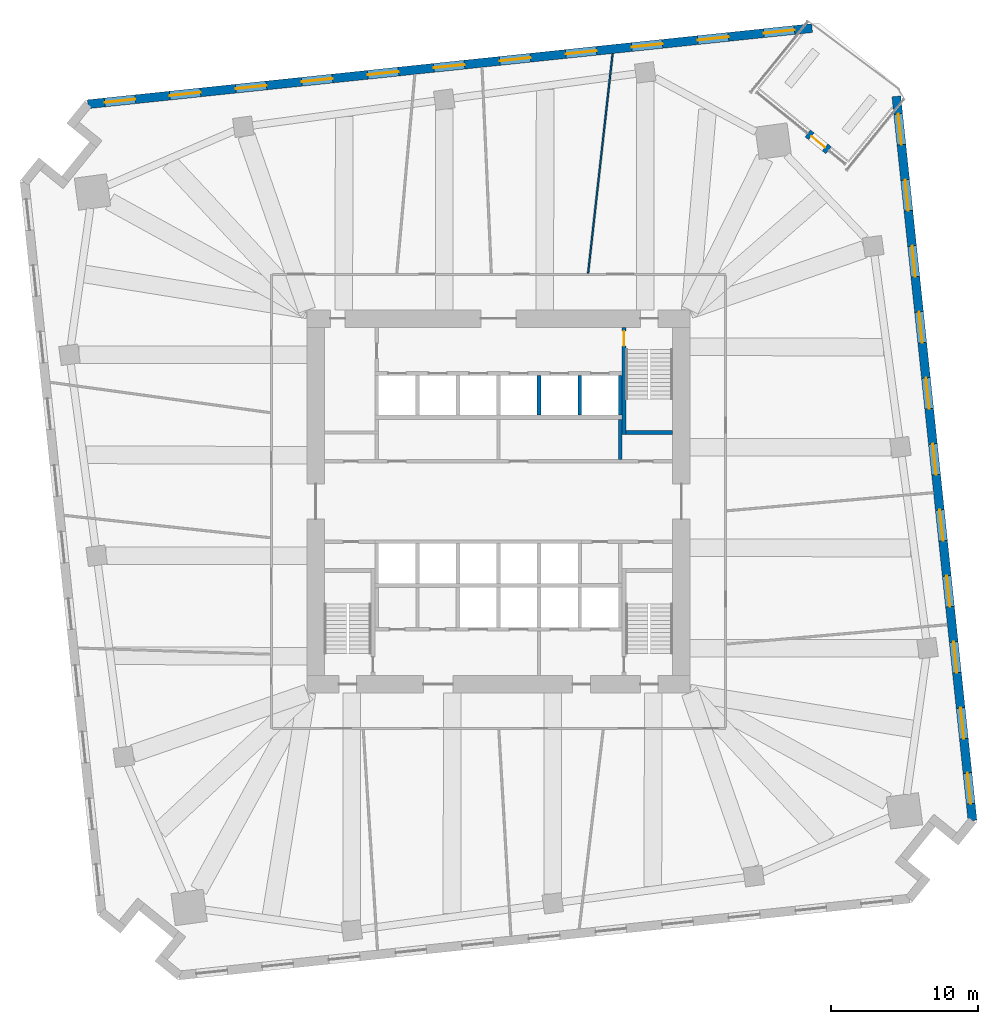
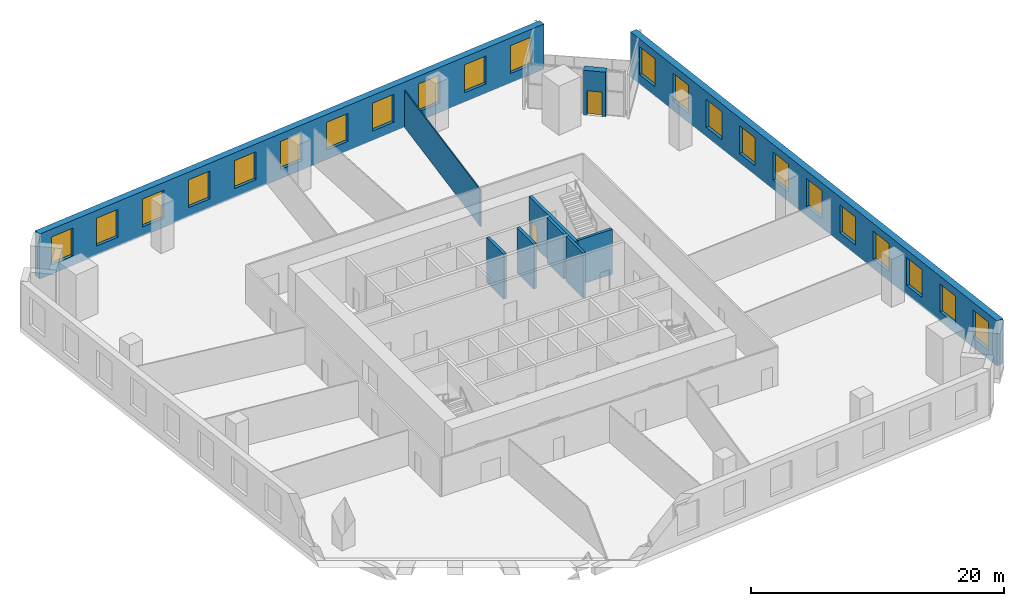
# One storey, part 7 of 10: 22 windows, 10 walls, 2 doors, 24 openings.
"""IFC4 building model written with IfcOpenShell, lengths in metres."""

import ifcopenshell
import ifcopenshell.guid

model = None  # the IFC model being written
_history = None  # IfcOwnerHistory: only IFC2X3 demands one
_inside = {}  # id of a spatial element -> (the spatial element, [elements in it])
_under = {}  # id of a project, library or spatial element -> (it, [spatial elements below it])
_declared = {}  # id of a project -> (the project, [libraries it declares])
_typed = {}  # id of a type object -> (the type object, [elements of that type])
_made_of = {}  # id of a material, layer set ... -> (it, [elements and type objects made of it])


def new_model(schema):
    """Start an empty IFC model of exactly this schema.

    Asked for "IFC4X3", IfcOpenShell would pick the latest addendum, in which some entities
    have other attributes; the version numbers below select the first issue.
    IFC2X3 requires an IfcOwnerHistory on every rooted entity: one is made here for all.
    """
    global model, _history
    if schema == "IFC4X3":
        model = ifcopenshell.file(schema_version=(4, 3, 0, 0))
    else:
        model = ifcopenshell.file(schema=schema)
    _inside.clear()
    _under.clear()
    _declared.clear()
    _typed.clear()
    _made_of.clear()
    _history = None
    if model.schema == "IFC2X3":
        org = make("IfcOrganization", Name="unknown")
        user = make(
            "IfcPersonAndOrganization",
            ThePerson=make("IfcPerson", FamilyName="unknown"),
            TheOrganization=org,
        )
        app = make(
            "IfcApplication",
            ApplicationDeveloper=org,
            Version="unknown",
            ApplicationFullName="unknown",
            ApplicationIdentifier="unknown",
        )
        _history = make(
            "IfcOwnerHistory",
            OwningUser=user,
            OwningApplication=app,
            ChangeAction="ADDED",
            CreationDate=0,
        )
    return model


def make(cls, **values):
    """One entity of the class cls with the attributes given. An attribute that is None is left unset."""
    return model.create_entity(
        cls, **{name: value for name, value in values.items() if value is not None}
    )


def rooted(cls, **values):
    """An entity with a GlobalId (a new one), such as an element, a storey or a relation."""
    return make(cls, GlobalId=ifcopenshell.guid.new(), OwnerHistory=_history, **values)


def si_unit(unit_type, name, prefix=None):
    """IfcSIUnit, for example si_unit("LENGTHUNIT", "METRE", prefix="MILLI")."""
    return make("IfcSIUnit", UnitType=unit_type, Prefix=prefix, Name=name)


def assignment(units):
    """IfcUnitAssignment: the units of a project."""
    return None if units is None else make("IfcUnitAssignment", Units=units)


def point(xyz):
    """IfcCartesianPoint."""
    return None if xyz is None else make("IfcCartesianPoint", Coordinates=xyz)


def direction(xyz):
    """IfcDirection."""
    return None if xyz is None else make("IfcDirection", DirectionRatios=xyz)


def frame(location, z_axis=None, x_axis=None):
    """IfcAxis2Placement3D, a coordinate frame: its origin and axes. An axis left out is left unset."""
    return make(
        "IfcAxis2Placement3D",
        Location=point(location),
        Axis=direction(z_axis),
        RefDirection=direction(x_axis),
    )


def frame_2d(location, x_axis=None):
    """IfcAxis2Placement2D, a coordinate frame in the plane: its origin and x axis."""
    return make(
        "IfcAxis2Placement2D", Location=point(location), RefDirection=direction(x_axis)
    )


def origin():
    """The frame at (0, 0, 0) with its axes left unset."""
    return frame((0.0, 0.0, 0.0))


def place(relative_to, where):
    """IfcLocalPlacement: puts the frame where relative to a parent placement (None: the world)."""
    return make(
        "IfcLocalPlacement", PlacementRelTo=relative_to, RelativePlacement=where
    )


def context(
    kind, dimensions, precision=None, world=None, true_north=None, identifier=None
):
    """IfcGeometricRepresentationContext, for example the 3D "Model" context."""
    return make(
        "IfcGeometricRepresentationContext",
        ContextIdentifier=identifier,
        ContextType=kind,
        CoordinateSpaceDimension=dimensions,
        Precision=precision,
        WorldCoordinateSystem=world,
        TrueNorth=true_north,
    )


def subcontext(parent, identifier, kind, view, scale=None):
    """IfcGeometricRepresentationSubContext, for example "Body" below "Model"."""
    return make(
        "IfcGeometricRepresentationSubContext",
        ContextIdentifier=identifier,
        ContextType=kind,
        ParentContext=parent,
        TargetScale=scale,
        TargetView=view,
    )


def project(units=None, contexts=None):
    """IfcProject with its units and contexts."""
    return rooted(
        "IfcProject",
        Name="project",
        RepresentationContexts=contexts,
        UnitsInContext=assignment(units),
    )


def spatial(cls, under=None, at=None, **own):
    """A site, building, storey or space (cls), placed at a placement, below another one or the project."""
    s = rooted(cls, ObjectPlacement=at, **own)
    if under is not None:
        _under.setdefault(under.id(), (under, []))[1].append(s)
    return s


def profile(cls, at=None, kind="AREA", **sizes):
    """A parametric profile (cls). Its sizes go by their IFC names, for example OverallWidth=200.0."""
    return make(cls, ProfileType=kind, Position=at, **sizes)


def rectangle(**sizes):
    """IfcRectangleProfileDef."""
    return profile("IfcRectangleProfileDef", **sizes)


def extrude(swept, where, along, depth):
    """IfcExtrudedAreaSolid: the profile swept, set in the frame where, extruded along a direction by depth."""
    return make(
        "IfcExtrudedAreaSolid",
        SweptArea=swept,
        Position=where,
        ExtrudedDirection=direction(along),
        Depth=depth,
    )


def shape(context_of_items, identifier, shape_type, items):
    """IfcShapeRepresentation: the items that make up one representation, for example the "Body"."""
    return make(
        "IfcShapeRepresentation",
        ContextOfItems=context_of_items,
        RepresentationIdentifier=identifier,
        RepresentationType=shape_type,
        Items=items,
    )


def material(Name=None, Category=None):
    """IfcMaterial."""
    return make("IfcMaterial", Name=Name, Category=Category)


def layer(
    of_material, thickness, ventilated=None, Name=None, Category=None, Priority=None
):
    """IfcMaterialLayer: one layer of a wall or slab, of a material (None: an air gap)."""
    return make(
        "IfcMaterialLayer",
        Material=of_material,
        LayerThickness=thickness,
        IsVentilated=ventilated,
        Name=Name,
        Category=Category,
        Priority=Priority,
    )


def layer_set(layers, Name=None):
    """IfcMaterialLayerSet."""
    return make("IfcMaterialLayerSet", MaterialLayers=layers, LayerSetName=Name)


def made_of(thing, what):
    """Note that an element or type object is made of a material, layer set ...; save() writes the relation."""
    if what is not None:
        _made_of.setdefault(what.id(), (what, []))[1].append(thing)
    return thing


def type_object(cls, material=None, **own):
    """A type object (cls), such as IfcWallType, which elements share."""
    return made_of(rooted(cls, **own), material)


def element(
    cls,
    number,
    at=None,
    inside=None,
    cuts=None,
    type_object=None,
    material=None,
    context=None,
    identifier="Body",
    shape_type=None,
    held_by="IfcProductDefinitionShape",
    body=None,
    shapes=None,
    **own,
):
    """One element of the class cls, such as IfcWall. Its Tag is "e" and its number.

    at: its placement. inside: the storey or other place that contains it. cuts: it is an
    opening in that element (IfcRelVoidsElement). A single representation is given by context,
    identifier, shape_type and body (its items); several are given by shapes. held_by: the class
    of the entity that holds the representations. save() writes the other relations.
    """
    e = rooted(cls, Tag="e%d" % number, ObjectPlacement=at, **own)
    if body is not None:
        shapes = [shape(context, identifier, shape_type, body)]
    if shapes is not None:
        e.Representation = make(held_by, Representations=shapes)
    if inside is not None:
        _inside.setdefault(inside.id(), (inside, []))[1].append(e)
    if cuts is not None:
        rooted(
            "IfcRelVoidsElement", RelatingBuildingElement=cuts, RelatedOpeningElement=e
        )
    if type_object is not None:
        _typed.setdefault(type_object.id(), (type_object, []))[1].append(e)
    return made_of(e, material)


def fill(opening, filler):
    """IfcRelFillsElement: the door or window that sits in an opening."""
    return rooted(
        "IfcRelFillsElement",
        RelatingOpeningElement=opening,
        RelatedBuildingElement=filler,
    )


def aggregate(whole, parts):
    """IfcRelAggregates: a whole, such as a stair, and the parts it consists of."""
    return rooted("IfcRelAggregates", RelatingObject=whole, RelatedObjects=parts)


def save(model, path):
    """Write the relations noted so far, then the file.

    IfcRelAggregates (storeys below a building ...), IfcRelContainedInSpatialStructure (elements
    in a storey), IfcRelDefinesByType, IfcRelAssociatesMaterial and IfcRelDeclares: one each for
    every whole, place, type object, material and project.
    """
    for whole, parts in _under.values():
        aggregate(whole, parts)
    for where, things in _inside.values():
        rooted(
            "IfcRelContainedInSpatialStructure",
            RelatedElements=things,
            RelatingStructure=where,
        )
    for kind, things in _typed.values():
        rooted("IfcRelDefinesByType", RelatedObjects=things, RelatingType=kind)
    for what, things in _made_of.values():
        rooted("IfcRelAssociatesMaterial", RelatedObjects=things, RelatingMaterial=what)
    for by, libraries in _declared.values():
        rooted("IfcRelDeclares", RelatingContext=by, RelatedDefinitions=libraries)
    model.write(path)


model = new_model("IFC4")

# Units and contexts
model_context = context("Model", 3, precision=1e-05, world=origin(), true_north=direction((0.0, 1.0)))
body_context = subcontext(model_context, "Body", "Model", "MODEL_VIEW")
ifc_project = project(units=[si_unit("LENGTHUNIT", "METRE"), si_unit("AREAUNIT", "SQUARE_METRE"), si_unit("VOLUMEUNIT", "CUBIC_METRE"), si_unit("PLANEANGLEUNIT", "RADIAN"), si_unit("MASSUNIT", "GRAM", prefix="KILO")], contexts=[model_context])

# Site, building, storey
site_placement = place(None, origin())
site = spatial("IfcSite", under=ifc_project, at=site_placement, CompositionType="ELEMENT")
building_placement = place(site_placement, origin())
building = spatial("IfcBuilding", under=site, at=building_placement, Name="Dilmun Exchange Tower", CompositionType="ELEMENT")
storey_placement = place(building_placement, frame((0.0, 0.0, 46.5)))
storey = spatial("IfcBuildingStorey", under=building, at=storey_placement, Name="L10", CompositionType="ELEMENT", Elevation=46.5)

# Walls
ifc_material_1 = material(Name="Concrete C40/50", Category="concrete")
ifc_layer_1 = layer(ifc_material_1, 0.25)
ifc_layer_set_1 = layer_set([ifc_layer_1], Name="Concrete C40/50")
wall_type_1 = type_object("IfcWallType", Name="Core partition wall 250", PredefinedType="PARTITIONING", material=ifc_layer_set_1)
wall_1_placement = place(storey_placement, frame((8.25, 2.85498046875, 0.0), z_axis=(0.0, 0.0, 1.0), x_axis=(0.0, 1.0, 0.0)))
element("IfcWall", 1, at=wall_1_placement, inside=storey, type_object=wall_type_1, Name="L10 core partition wall 11", PredefinedType="PARTITIONING", context=body_context, shape_type="SweptSolid", body=[
    extrude(rectangle(XDim=2.68994140625, YDim=0.25, at=frame_2d((1.344970703125, 0.0))), origin(), (0.0, 0.0, 1.0), 4.35009765625),
])
ifc_layer_2 = layer(ifc_material_1, 0.25)
ifc_layer_set_2 = layer_set([ifc_layer_2], Name="Concrete C40/50")
wall_type_2 = type_object("IfcWallType", Name="Lift shaft wall 250", PredefinedType="SOLIDWALL", material=ifc_layer_set_2)
for number, where, z_axis, x_axis, name in (
    (2, (2.75, 5.85009765625, 0.0), (0.0, 0.0, 1.0), (0.0, 1.0, 0.0), "L10 lift shaft divider N24"),
    (3, (5.5, 5.85009765625, 0.0), (0.0, 0.0, 1.0), (0.0, 1.0, 0.0), "L10 lift shaft divider N25"),
    (4, (8.25, 5.85009765625, 0.0), (0.0, 0.0, 1.0), (0.0, 1.0, 0.0), "L10 lift shaft divider N26"),
):
    element("IfcWall", number, at=place(storey_placement, frame(where, z_axis=z_axis, x_axis=x_axis)), inside=storey, type_object=wall_type_2, Name=name, PredefinedType="SOLIDWALL", context=body_context, shape_type="SweptSolid", body=[
        extrude(rectangle(XDim=2.699951171875, YDim=0.25, at=frame_2d((1.35009765625, 0.0))), origin(), (0.0, 0.0, 1.0), 4.35009765625),
    ])
ifc_material_2 = material(Name="Partition 100")
ifc_layer_3 = layer(ifc_material_2, 0.10009765625)
ifc_layer_set_3 = layer_set([ifc_layer_3], Name="Partition 100")
wall_type_3 = type_object("IfcWallType", Name="Partition 100", PredefinedType="PARTITIONING", material=ifc_layer_set_3)
wall_2_placement = place(storey_placement, frame((6.073974609375, 15.48046875, 0.0), z_axis=(0.0, 0.0, 1.0), x_axis=(0.110950080777, 0.99382598053, 0.0)))
element("IfcWall", 5, at=wall_2_placement, inside=storey, type_object=wall_type_3, Name="Partition", PredefinedType="PARTITIONING", context=body_context, shape_type="SweptSolid", body=[
    extrude(rectangle(XDim=14.985107421875, YDim=0.10009765625, at=frame_2d((7.49267578125, 0.0))), origin(), (0.0, 0.0, 1.0), 3.550048828125),
])

# Wall, openings, windows
ifc_material_3 = material(Name="Precast concrete C50/60", Category="concrete")
ifc_layer_4 = layer(ifc_material_3, 0.60009765625)
ifc_layer_set_4 = layer_set([ifc_layer_4], Name="Precast concrete C50/60")
wall_type_4 = type_object("IfcWallType", Name="Precast stone-clad wall 600", PredefinedType="STANDARD", material=ifc_layer_set_4)
wall_3_placement = place(storey_placement, frame((21.26123046875, 32.09814453125, 0.0), z_axis=(0.0, 0.0, 1.0), x_axis=(-0.994521967515, -0.104527776833, 0.0)))
wall_3 = element("IfcWall", 6, at=wall_3_placement, inside=storey, type_object=wall_type_4, Name="Facade wall L10-03", PredefinedType="STANDARD", context=body_context, shape_type="SweptSolid", body=[
    extrude(rectangle(XDim=49.375732421875, YDim=0.60009765625, at=frame_2d((24.68798828125, 0.0))), origin(), (0.0, 0.0, 1.0), 4.35009765625),
])
opening_1_placement = place(wall_3_placement, frame((1.199951171875, 0.0, 0.89990234375)))
opening_1 = element("IfcOpeningElement", 7, at=opening_1_placement, cuts=wall_3, Name="Opening W210-270", PredefinedType="OPENING", context=body_context, shape_type="SweptSolid", body=[
    extrude(rectangle(XDim=2.10009765625, YDim=2.699951171875, at=frame_2d((1.050048828125, 1.35009765625))), frame((0.0, 0.31005859375, 0.0), z_axis=(0.0, -1.0, 0.0), x_axis=(1.0, 0.0, 0.0)), (0.0, 0.0, 1.0), 0.6201171875),
])
opening_2_placement = place(wall_3_placement, frame((5.699951171875, 0.0, 0.89990234375)))
opening_2 = element("IfcOpeningElement", 8, at=opening_2_placement, cuts=wall_3, Name="Opening W210-270", PredefinedType="OPENING", context=body_context, shape_type="SweptSolid", body=[
    extrude(rectangle(XDim=2.10009765625, YDim=2.699951171875, at=frame_2d((1.050048828125, 1.35009765625))), frame((0.0, 0.31005859375, 0.0), z_axis=(0.0, -1.0, 0.0), x_axis=(1.0, 0.0, 0.0)), (0.0, 0.0, 1.0), 0.6201171875),
])
opening_3_placement = place(wall_3_placement, frame((10.199951171875, 0.0, 0.89990234375)))
opening_3 = element("IfcOpeningElement", 9, at=opening_3_placement, cuts=wall_3, Name="Opening W210-270", PredefinedType="OPENING", context=body_context, shape_type="SweptSolid", body=[
    extrude(rectangle(XDim=2.10009765625, YDim=2.699951171875, at=frame_2d((1.050048828125, 1.35009765625))), frame((0.0, 0.31005859375, 0.0), z_axis=(0.0, -1.0, 0.0), x_axis=(1.0, 0.0, 0.0)), (0.0, 0.0, 1.0), 0.6201171875),
])
opening_4_placement = place(wall_3_placement, frame((14.699951171875, 0.0, 0.89990234375)))
opening_4 = element("IfcOpeningElement", 10, at=opening_4_placement, cuts=wall_3, Name="Opening W210-270", PredefinedType="OPENING", context=body_context, shape_type="SweptSolid", body=[
    extrude(rectangle(XDim=2.10009765625, YDim=2.699951171875, at=frame_2d((1.050048828125, 1.35009765625))), frame((0.0, 0.31005859375, 0.0), z_axis=(0.0, -1.0, 0.0), x_axis=(1.0, 0.0, 0.0)), (0.0, 0.0, 1.0), 0.6201171875),
])
opening_5_placement = place(wall_3_placement, frame((19.199951171875, 0.0, 0.89990234375)))
opening_5 = element("IfcOpeningElement", 11, at=opening_5_placement, cuts=wall_3, Name="Opening W210-270", PredefinedType="OPENING", context=body_context, shape_type="SweptSolid", body=[
    extrude(rectangle(XDim=2.10009765625, YDim=2.699951171875, at=frame_2d((1.050048828125, 1.35009765625))), frame((0.0, 0.31005859375, 0.0), z_axis=(0.0, -1.0, 0.0), x_axis=(1.0, 0.0, 0.0)), (0.0, 0.0, 1.0), 0.6201171875),
])
opening_6_placement = place(wall_3_placement, frame((23.699951171875, 0.0, 0.89990234375)))
opening_6 = element("IfcOpeningElement", 12, at=opening_6_placement, cuts=wall_3, Name="Opening W210-270", PredefinedType="OPENING", context=body_context, shape_type="SweptSolid", body=[
    extrude(rectangle(XDim=2.10009765625, YDim=2.699951171875, at=frame_2d((1.050048828125, 1.35009765625))), frame((0.0, 0.31005859375, 0.0), z_axis=(0.0, -1.0, 0.0), x_axis=(1.0, 0.0, 0.0)), (0.0, 0.0, 1.0), 0.6201171875),
])
opening_7_placement = place(wall_3_placement, frame((28.199951171875, 0.0, 0.89990234375)))
opening_7 = element("IfcOpeningElement", 13, at=opening_7_placement, cuts=wall_3, Name="Opening W210-270", PredefinedType="OPENING", context=body_context, shape_type="SweptSolid", body=[
    extrude(rectangle(XDim=2.10009765625, YDim=2.699951171875, at=frame_2d((1.050048828125, 1.35009765625))), frame((0.0, 0.31005859375, 0.0), z_axis=(0.0, -1.0, 0.0), x_axis=(1.0, 0.0, 0.0)), (0.0, 0.0, 1.0), 0.6201171875),
])
opening_8_placement = place(wall_3_placement, frame((32.699951171875, 0.0, 0.89990234375)))
opening_8 = element("IfcOpeningElement", 14, at=opening_8_placement, cuts=wall_3, Name="Opening W210-270", PredefinedType="OPENING", context=body_context, shape_type="SweptSolid", body=[
    extrude(rectangle(XDim=2.10009765625, YDim=2.699951171875, at=frame_2d((1.050048828125, 1.35009765625))), frame((0.0, 0.31005859375, 0.0), z_axis=(0.0, -1.0, 0.0), x_axis=(1.0, 0.0, 0.0)), (0.0, 0.0, 1.0), 0.6201171875),
])
opening_9_placement = place(wall_3_placement, frame((37.199951171875, 0.0, 0.89990234375)))
opening_9 = element("IfcOpeningElement", 15, at=opening_9_placement, cuts=wall_3, Name="Opening W210-270", PredefinedType="OPENING", context=body_context, shape_type="SweptSolid", body=[
    extrude(rectangle(XDim=2.10009765625, YDim=2.699951171875, at=frame_2d((1.050048828125, 1.35009765625))), frame((0.0, 0.31005859375, 0.0), z_axis=(0.0, -1.0, 0.0), x_axis=(1.0, 0.0, 0.0)), (0.0, 0.0, 1.0), 0.6201171875),
])
opening_10_placement = place(wall_3_placement, frame((41.699951171875, 0.0, 0.89990234375)))
opening_10 = element("IfcOpeningElement", 16, at=opening_10_placement, cuts=wall_3, Name="Opening W210-270", PredefinedType="OPENING", context=body_context, shape_type="SweptSolid", body=[
    extrude(rectangle(XDim=2.10009765625, YDim=2.699951171875, at=frame_2d((1.050048828125, 1.35009765625))), frame((0.0, 0.31005859375, 0.0), z_axis=(0.0, -1.0, 0.0), x_axis=(1.0, 0.0, 0.0)), (0.0, 0.0, 1.0), 0.6201171875),
])
opening_11_placement = place(wall_3_placement, frame((46.137939453125, 0.0, 0.89990234375)))
opening_11 = element("IfcOpeningElement", 17, at=opening_11_placement, cuts=wall_3, Name="Opening W210-270", PredefinedType="OPENING", context=body_context, shape_type="SweptSolid", body=[
    extrude(rectangle(XDim=2.10009765625, YDim=2.699951171875, at=frame_2d((1.050048828125, 1.35009765625))), frame((0.0, 0.31005859375, 0.0), z_axis=(0.0, -1.0, 0.0), x_axis=(1.0, 0.0, 0.0)), (0.0, 0.0, 1.0), 0.6201171875),
])
ifc_material_4 = material(Name="Clear low-emissivity glass in aluminium frame", Category="aluminium")
window_type = type_object("IfcWindowType", Name="Punched window 2100 x 2700", PartitioningType="DOUBLE_PANEL_VERTICAL", PredefinedType="WINDOW", material=ifc_material_4)
window_1_placement = place(opening_1_placement, origin())
window_1 = element("IfcWindow", 18, at=window_1_placement, inside=storey, type_object=window_type, Name="Window 4.1", OverallHeight=2.699951171875, OverallWidth=2.10009765625, PartitioningType="SINGLE_PANEL", PredefinedType="WINDOW", context=body_context, shape_type="SweptSolid", body=[
    extrude(rectangle(XDim=2.10009765625, YDim=2.699951171875, at=frame_2d((1.050048828125, 1.35009765625))), frame((0.0, 0.030029296875, 0.0), z_axis=(0.0, -1.0, 0.0), x_axis=(1.0, 0.0, 0.0)), (0.0, 0.0, 1.0), 0.06005859375),
])
fill(opening_1, window_1)
window_2_placement = place(opening_2_placement, origin())
window_2 = element("IfcWindow", 19, at=window_2_placement, inside=storey, type_object=window_type, Name="Window 4.2", OverallHeight=2.699951171875, OverallWidth=2.10009765625, PartitioningType="SINGLE_PANEL", PredefinedType="WINDOW", context=body_context, shape_type="SweptSolid", body=[
    extrude(rectangle(XDim=2.10009765625, YDim=2.699951171875, at=frame_2d((1.050048828125, 1.35009765625))), frame((0.0, 0.030029296875, 0.0), z_axis=(0.0, -1.0, 0.0), x_axis=(1.0, 0.0, 0.0)), (0.0, 0.0, 1.0), 0.06005859375),
])
fill(opening_2, window_2)
window_3_placement = place(opening_3_placement, origin())
window_3 = element("IfcWindow", 20, at=window_3_placement, inside=storey, type_object=window_type, Name="Window 4.3", OverallHeight=2.699951171875, OverallWidth=2.10009765625, PartitioningType="SINGLE_PANEL", PredefinedType="WINDOW", context=body_context, shape_type="SweptSolid", body=[
    extrude(rectangle(XDim=2.10009765625, YDim=2.699951171875, at=frame_2d((1.050048828125, 1.35009765625))), frame((0.0, 0.030029296875, 0.0), z_axis=(0.0, -1.0, 0.0), x_axis=(1.0, 0.0, 0.0)), (0.0, 0.0, 1.0), 0.06005859375),
])
fill(opening_3, window_3)
window_4_placement = place(opening_4_placement, origin())
window_4 = element("IfcWindow", 21, at=window_4_placement, inside=storey, type_object=window_type, Name="Window 4.4", OverallHeight=2.699951171875, OverallWidth=2.10009765625, PartitioningType="SINGLE_PANEL", PredefinedType="WINDOW", context=body_context, shape_type="SweptSolid", body=[
    extrude(rectangle(XDim=2.10009765625, YDim=2.699951171875, at=frame_2d((1.050048828125, 1.35009765625))), frame((0.0, 0.030029296875, 0.0), z_axis=(0.0, -1.0, 0.0), x_axis=(1.0, 0.0, 0.0)), (0.0, 0.0, 1.0), 0.06005859375),
])
fill(opening_4, window_4)
window_5_placement = place(opening_5_placement, origin())
window_5 = element("IfcWindow", 22, at=window_5_placement, inside=storey, type_object=window_type, Name="Window 4.5", OverallHeight=2.699951171875, OverallWidth=2.10009765625, PartitioningType="SINGLE_PANEL", PredefinedType="WINDOW", context=body_context, shape_type="SweptSolid", body=[
    extrude(rectangle(XDim=2.10009765625, YDim=2.699951171875, at=frame_2d((1.050048828125, 1.35009765625))), frame((0.0, 0.030029296875, 0.0), z_axis=(0.0, -1.0, 0.0), x_axis=(1.0, 0.0, 0.0)), (0.0, 0.0, 1.0), 0.06005859375),
])
fill(opening_5, window_5)
window_6_placement = place(opening_6_placement, origin())
window_6 = element("IfcWindow", 23, at=window_6_placement, inside=storey, type_object=window_type, Name="Window 4.6", OverallHeight=2.699951171875, OverallWidth=2.10009765625, PartitioningType="SINGLE_PANEL", PredefinedType="WINDOW", context=body_context, shape_type="SweptSolid", body=[
    extrude(rectangle(XDim=2.10009765625, YDim=2.699951171875, at=frame_2d((1.050048828125, 1.35009765625))), frame((0.0, 0.030029296875, 0.0), z_axis=(0.0, -1.0, 0.0), x_axis=(1.0, 0.0, 0.0)), (0.0, 0.0, 1.0), 0.06005859375),
])
fill(opening_6, window_6)
window_7_placement = place(opening_7_placement, origin())
window_7 = element("IfcWindow", 24, at=window_7_placement, inside=storey, type_object=window_type, Name="Window 4.7", OverallHeight=2.699951171875, OverallWidth=2.10009765625, PartitioningType="SINGLE_PANEL", PredefinedType="WINDOW", context=body_context, shape_type="SweptSolid", body=[
    extrude(rectangle(XDim=2.10009765625, YDim=2.699951171875, at=frame_2d((1.050048828125, 1.35009765625))), frame((0.0, 0.030029296875, 0.0), z_axis=(0.0, -1.0, 0.0), x_axis=(1.0, 0.0, 0.0)), (0.0, 0.0, 1.0), 0.06005859375),
])
fill(opening_7, window_7)
window_8_placement = place(opening_8_placement, origin())
window_8 = element("IfcWindow", 25, at=window_8_placement, inside=storey, type_object=window_type, Name="Window 4.8", OverallHeight=2.699951171875, OverallWidth=2.10009765625, PartitioningType="SINGLE_PANEL", PredefinedType="WINDOW", context=body_context, shape_type="SweptSolid", body=[
    extrude(rectangle(XDim=2.10009765625, YDim=2.699951171875, at=frame_2d((1.050048828125, 1.35009765625))), frame((0.0, 0.030029296875, 0.0), z_axis=(0.0, -1.0, 0.0), x_axis=(1.0, 0.0, 0.0)), (0.0, 0.0, 1.0), 0.06005859375),
])
fill(opening_8, window_8)
window_9_placement = place(opening_9_placement, origin())
window_9 = element("IfcWindow", 26, at=window_9_placement, inside=storey, type_object=window_type, Name="Window 4.9", OverallHeight=2.699951171875, OverallWidth=2.10009765625, PartitioningType="SINGLE_PANEL", PredefinedType="WINDOW", context=body_context, shape_type="SweptSolid", body=[
    extrude(rectangle(XDim=2.10009765625, YDim=2.699951171875, at=frame_2d((1.050048828125, 1.35009765625))), frame((0.0, 0.030029296875, 0.0), z_axis=(0.0, -1.0, 0.0), x_axis=(1.0, 0.0, 0.0)), (0.0, 0.0, 1.0), 0.06005859375),
])
fill(opening_9, window_9)
window_10_placement = place(opening_10_placement, origin())
window_10 = element("IfcWindow", 27, at=window_10_placement, inside=storey, type_object=window_type, Name="Window 4.10", OverallHeight=2.699951171875, OverallWidth=2.10009765625, PartitioningType="SINGLE_PANEL", PredefinedType="WINDOW", context=body_context, shape_type="SweptSolid", body=[
    extrude(rectangle(XDim=2.10009765625, YDim=2.699951171875, at=frame_2d((1.050048828125, 1.35009765625))), frame((0.0, 0.030029296875, 0.0), z_axis=(0.0, -1.0, 0.0), x_axis=(1.0, 0.0, 0.0)), (0.0, 0.0, 1.0), 0.06005859375),
])
fill(opening_10, window_10)
window_11_placement = place(opening_11_placement, origin())
window_11 = element("IfcWindow", 28, at=window_11_placement, inside=storey, type_object=window_type, Name="Window 4.11", OverallHeight=2.699951171875, OverallWidth=2.10009765625, PartitioningType="SINGLE_PANEL", PredefinedType="WINDOW", context=body_context, shape_type="SweptSolid", body=[
    extrude(rectangle(XDim=2.10009765625, YDim=2.699951171875, at=frame_2d((1.050048828125, 1.35009765625))), frame((0.0, 0.030029296875, 0.0), z_axis=(0.0, -1.0, 0.0), x_axis=(1.0, 0.0, 0.0)), (0.0, 0.0, 1.0), 0.06005859375),
])
fill(opening_11, window_11)

wall_4_placement = place(storey_placement, frame((32.137451171875, -21.635009765625, 0.0), z_axis=(0.0, 0.0, 1.0), x_axis=(-0.104527776833, 0.994521967515, 0.0)))
wall_4 = element("IfcWall", 29, at=wall_4_placement, inside=storey, type_object=wall_type_4, Name="Facade wall L10-21", PredefinedType="STANDARD", context=body_context, shape_type="SweptSolid", body=[
    extrude(rectangle(XDim=49.375732421875, YDim=0.60009765625, at=frame_2d((24.68798828125, 0.0))), origin(), (0.0, 0.0, 1.0), 4.35009765625),
])
opening_12_placement = place(wall_4_placement, frame((1.137939453125, 0.0, 0.89990234375)))
opening_12 = element("IfcOpeningElement", 30, at=opening_12_placement, cuts=wall_4, Name="Opening W210-270", PredefinedType="OPENING", context=body_context, shape_type="SweptSolid", body=[
    extrude(rectangle(XDim=2.10009765625, YDim=2.699951171875, at=frame_2d((1.050048828125, 1.35009765625))), frame((0.0, 0.31005859375, 0.0), z_axis=(0.0, -1.0, 0.0), x_axis=(1.0, 0.0, 0.0)), (0.0, 0.0, 1.0), 0.6201171875),
])
opening_13_placement = place(wall_4_placement, frame((5.57568359375, 0.0, 0.89990234375)))
opening_13 = element("IfcOpeningElement", 31, at=opening_13_placement, cuts=wall_4, Name="Opening W210-270", PredefinedType="OPENING", context=body_context, shape_type="SweptSolid", body=[
    extrude(rectangle(XDim=2.10009765625, YDim=2.699951171875, at=frame_2d((1.050048828125, 1.35009765625))), frame((0.0, 0.31005859375, 0.0), z_axis=(0.0, -1.0, 0.0), x_axis=(1.0, 0.0, 0.0)), (0.0, 0.0, 1.0), 0.6201171875),
])
opening_14_placement = place(wall_4_placement, frame((10.07568359375, 0.0, 0.89990234375)))
opening_14 = element("IfcOpeningElement", 32, at=opening_14_placement, cuts=wall_4, Name="Opening W210-270", PredefinedType="OPENING", context=body_context, shape_type="SweptSolid", body=[
    extrude(rectangle(XDim=2.10009765625, YDim=2.699951171875, at=frame_2d((1.050048828125, 1.35009765625))), frame((0.0, 0.31005859375, 0.0), z_axis=(0.0, -1.0, 0.0), x_axis=(1.0, 0.0, 0.0)), (0.0, 0.0, 1.0), 0.6201171875),
])
opening_15_placement = place(wall_4_placement, frame((14.57568359375, 0.0, 0.89990234375)))
opening_15 = element("IfcOpeningElement", 33, at=opening_15_placement, cuts=wall_4, Name="Opening W210-270", PredefinedType="OPENING", context=body_context, shape_type="SweptSolid", body=[
    extrude(rectangle(XDim=2.10009765625, YDim=2.699951171875, at=frame_2d((1.050048828125, 1.35009765625))), frame((0.0, 0.31005859375, 0.0), z_axis=(0.0, -1.0, 0.0), x_axis=(1.0, 0.0, 0.0)), (0.0, 0.0, 1.0), 0.6201171875),
])
opening_16_placement = place(wall_4_placement, frame((19.07568359375, 0.0, 0.89990234375)))
opening_16 = element("IfcOpeningElement", 34, at=opening_16_placement, cuts=wall_4, Name="Opening W210-270", PredefinedType="OPENING", context=body_context, shape_type="SweptSolid", body=[
    extrude(rectangle(XDim=2.10009765625, YDim=2.699951171875, at=frame_2d((1.050048828125, 1.35009765625))), frame((0.0, 0.31005859375, 0.0), z_axis=(0.0, -1.0, 0.0), x_axis=(1.0, 0.0, 0.0)), (0.0, 0.0, 1.0), 0.6201171875),
])
opening_17_placement = place(wall_4_placement, frame((23.57568359375, 0.0, 0.89990234375)))
opening_17 = element("IfcOpeningElement", 35, at=opening_17_placement, cuts=wall_4, Name="Opening W210-270", PredefinedType="OPENING", context=body_context, shape_type="SweptSolid", body=[
    extrude(rectangle(XDim=2.10009765625, YDim=2.699951171875, at=frame_2d((1.050048828125, 1.35009765625))), frame((0.0, 0.31005859375, 0.0), z_axis=(0.0, -1.0, 0.0), x_axis=(1.0, 0.0, 0.0)), (0.0, 0.0, 1.0), 0.6201171875),
])
opening_18_placement = place(wall_4_placement, frame((28.07568359375, 0.0, 0.89990234375)))
opening_18 = element("IfcOpeningElement", 36, at=opening_18_placement, cuts=wall_4, Name="Opening W210-270", PredefinedType="OPENING", context=body_context, shape_type="SweptSolid", body=[
    extrude(rectangle(XDim=2.10009765625, YDim=2.699951171875, at=frame_2d((1.050048828125, 1.35009765625))), frame((0.0, 0.31005859375, 0.0), z_axis=(0.0, -1.0, 0.0), x_axis=(1.0, 0.0, 0.0)), (0.0, 0.0, 1.0), 0.6201171875),
])
opening_19_placement = place(wall_4_placement, frame((32.57568359375, 0.0, 0.89990234375)))
opening_19 = element("IfcOpeningElement", 37, at=opening_19_placement, cuts=wall_4, Name="Opening W210-270", PredefinedType="OPENING", context=body_context, shape_type="SweptSolid", body=[
    extrude(rectangle(XDim=2.10009765625, YDim=2.699951171875, at=frame_2d((1.050048828125, 1.35009765625))), frame((0.0, 0.31005859375, 0.0), z_axis=(0.0, -1.0, 0.0), x_axis=(1.0, 0.0, 0.0)), (0.0, 0.0, 1.0), 0.6201171875),
])
opening_20_placement = place(wall_4_placement, frame((37.07568359375, 0.0, 0.89990234375)))
opening_20 = element("IfcOpeningElement", 38, at=opening_20_placement, cuts=wall_4, Name="Opening W210-270", PredefinedType="OPENING", context=body_context, shape_type="SweptSolid", body=[
    extrude(rectangle(XDim=2.10009765625, YDim=2.699951171875, at=frame_2d((1.050048828125, 1.35009765625))), frame((0.0, 0.31005859375, 0.0), z_axis=(0.0, -1.0, 0.0), x_axis=(1.0, 0.0, 0.0)), (0.0, 0.0, 1.0), 0.6201171875),
])
opening_21_placement = place(wall_4_placement, frame((41.57568359375, 0.0, 0.89990234375)))
opening_21 = element("IfcOpeningElement", 39, at=opening_21_placement, cuts=wall_4, Name="Opening W210-270", PredefinedType="OPENING", context=body_context, shape_type="SweptSolid", body=[
    extrude(rectangle(XDim=2.10009765625, YDim=2.699951171875, at=frame_2d((1.050048828125, 1.35009765625))), frame((0.0, 0.31005859375, 0.0), z_axis=(0.0, -1.0, 0.0), x_axis=(1.0, 0.0, 0.0)), (0.0, 0.0, 1.0), 0.6201171875),
])
opening_22_placement = place(wall_4_placement, frame((46.07568359375, 0.0, 0.89990234375)))
opening_22 = element("IfcOpeningElement", 40, at=opening_22_placement, cuts=wall_4, Name="Opening W210-270", PredefinedType="OPENING", context=body_context, shape_type="SweptSolid", body=[
    extrude(rectangle(XDim=2.10009765625, YDim=2.699951171875, at=frame_2d((1.050048828125, 1.35009765625))), frame((0.0, 0.31005859375, 0.0), z_axis=(0.0, -1.0, 0.0), x_axis=(1.0, 0.0, 0.0)), (0.0, 0.0, 1.0), 0.6201171875),
])
window_12_placement = place(opening_12_placement, origin())
window_12 = element("IfcWindow", 41, at=window_12_placement, inside=storey, type_object=window_type, Name="Window 22.1", OverallHeight=2.699951171875, OverallWidth=2.10009765625, PartitioningType="SINGLE_PANEL", PredefinedType="WINDOW", context=body_context, shape_type="SweptSolid", body=[
    extrude(rectangle(XDim=2.10009765625, YDim=2.699951171875, at=frame_2d((1.050048828125, 1.35009765625))), frame((0.0, 0.030029296875, 0.0), z_axis=(0.0, -1.0, 0.0), x_axis=(1.0, 0.0, 0.0)), (0.0, 0.0, 1.0), 0.06005859375),
])
fill(opening_12, window_12)
window_13_placement = place(opening_13_placement, origin())
window_13 = element("IfcWindow", 42, at=window_13_placement, inside=storey, type_object=window_type, Name="Window 22.2", OverallHeight=2.699951171875, OverallWidth=2.10009765625, PartitioningType="SINGLE_PANEL", PredefinedType="WINDOW", context=body_context, shape_type="SweptSolid", body=[
    extrude(rectangle(XDim=2.10009765625, YDim=2.699951171875, at=frame_2d((1.050048828125, 1.35009765625))), frame((0.0, 0.030029296875, 0.0), z_axis=(0.0, -1.0, 0.0), x_axis=(1.0, 0.0, 0.0)), (0.0, 0.0, 1.0), 0.06005859375),
])
fill(opening_13, window_13)
window_14_placement = place(opening_14_placement, origin())
window_14 = element("IfcWindow", 43, at=window_14_placement, inside=storey, type_object=window_type, Name="Window 22.3", OverallHeight=2.699951171875, OverallWidth=2.10009765625, PartitioningType="SINGLE_PANEL", PredefinedType="WINDOW", context=body_context, shape_type="SweptSolid", body=[
    extrude(rectangle(XDim=2.10009765625, YDim=2.699951171875, at=frame_2d((1.050048828125, 1.35009765625))), frame((0.0, 0.030029296875, 0.0), z_axis=(0.0, -1.0, 0.0), x_axis=(1.0, 0.0, 0.0)), (0.0, 0.0, 1.0), 0.06005859375),
])
fill(opening_14, window_14)
window_15_placement = place(opening_15_placement, origin())
window_15 = element("IfcWindow", 44, at=window_15_placement, inside=storey, type_object=window_type, Name="Window 22.4", OverallHeight=2.699951171875, OverallWidth=2.10009765625, PartitioningType="SINGLE_PANEL", PredefinedType="WINDOW", context=body_context, shape_type="SweptSolid", body=[
    extrude(rectangle(XDim=2.10009765625, YDim=2.699951171875, at=frame_2d((1.050048828125, 1.35009765625))), frame((0.0, 0.030029296875, 0.0), z_axis=(0.0, -1.0, 0.0), x_axis=(1.0, 0.0, 0.0)), (0.0, 0.0, 1.0), 0.06005859375),
])
fill(opening_15, window_15)
window_16_placement = place(opening_16_placement, origin())
window_16 = element("IfcWindow", 45, at=window_16_placement, inside=storey, type_object=window_type, Name="Window 22.5", OverallHeight=2.699951171875, OverallWidth=2.10009765625, PartitioningType="SINGLE_PANEL", PredefinedType="WINDOW", context=body_context, shape_type="SweptSolid", body=[
    extrude(rectangle(XDim=2.10009765625, YDim=2.699951171875, at=frame_2d((1.050048828125, 1.35009765625))), frame((0.0, 0.030029296875, 0.0), z_axis=(0.0, -1.0, 0.0), x_axis=(1.0, 0.0, 0.0)), (0.0, 0.0, 1.0), 0.06005859375),
])
fill(opening_16, window_16)
window_17_placement = place(opening_17_placement, origin())
window_17 = element("IfcWindow", 46, at=window_17_placement, inside=storey, type_object=window_type, Name="Window 22.6", OverallHeight=2.699951171875, OverallWidth=2.10009765625, PartitioningType="SINGLE_PANEL", PredefinedType="WINDOW", context=body_context, shape_type="SweptSolid", body=[
    extrude(rectangle(XDim=2.10009765625, YDim=2.699951171875, at=frame_2d((1.050048828125, 1.35009765625))), frame((0.0, 0.030029296875, 0.0), z_axis=(0.0, -1.0, 0.0), x_axis=(1.0, 0.0, 0.0)), (0.0, 0.0, 1.0), 0.06005859375),
])
fill(opening_17, window_17)
window_18_placement = place(opening_18_placement, origin())
window_18 = element("IfcWindow", 47, at=window_18_placement, inside=storey, type_object=window_type, Name="Window 22.7", OverallHeight=2.699951171875, OverallWidth=2.10009765625, PartitioningType="SINGLE_PANEL", PredefinedType="WINDOW", context=body_context, shape_type="SweptSolid", body=[
    extrude(rectangle(XDim=2.10009765625, YDim=2.699951171875, at=frame_2d((1.050048828125, 1.35009765625))), frame((0.0, 0.030029296875, 0.0), z_axis=(0.0, -1.0, 0.0), x_axis=(1.0, 0.0, 0.0)), (0.0, 0.0, 1.0), 0.06005859375),
])
fill(opening_18, window_18)
window_19_placement = place(opening_19_placement, origin())
window_19 = element("IfcWindow", 48, at=window_19_placement, inside=storey, type_object=window_type, Name="Window 22.8", OverallHeight=2.699951171875, OverallWidth=2.10009765625, PartitioningType="SINGLE_PANEL", PredefinedType="WINDOW", context=body_context, shape_type="SweptSolid", body=[
    extrude(rectangle(XDim=2.10009765625, YDim=2.699951171875, at=frame_2d((1.050048828125, 1.35009765625))), frame((0.0, 0.030029296875, 0.0), z_axis=(0.0, -1.0, 0.0), x_axis=(1.0, 0.0, 0.0)), (0.0, 0.0, 1.0), 0.06005859375),
])
fill(opening_19, window_19)
window_20_placement = place(opening_20_placement, origin())
window_20 = element("IfcWindow", 49, at=window_20_placement, inside=storey, type_object=window_type, Name="Window 22.9", OverallHeight=2.699951171875, OverallWidth=2.10009765625, PartitioningType="SINGLE_PANEL", PredefinedType="WINDOW", context=body_context, shape_type="SweptSolid", body=[
    extrude(rectangle(XDim=2.10009765625, YDim=2.699951171875, at=frame_2d((1.050048828125, 1.35009765625))), frame((0.0, 0.030029296875, 0.0), z_axis=(0.0, -1.0, 0.0), x_axis=(1.0, 0.0, 0.0)), (0.0, 0.0, 1.0), 0.06005859375),
])
fill(opening_20, window_20)
window_21_placement = place(opening_21_placement, origin())
window_21 = element("IfcWindow", 50, at=window_21_placement, inside=storey, type_object=window_type, Name="Window 22.10", OverallHeight=2.699951171875, OverallWidth=2.10009765625, PartitioningType="SINGLE_PANEL", PredefinedType="WINDOW", context=body_context, shape_type="SweptSolid", body=[
    extrude(rectangle(XDim=2.10009765625, YDim=2.699951171875, at=frame_2d((1.050048828125, 1.35009765625))), frame((0.0, 0.030029296875, 0.0), z_axis=(0.0, -1.0, 0.0), x_axis=(1.0, 0.0, 0.0)), (0.0, 0.0, 1.0), 0.06005859375),
])
fill(opening_21, window_21)
window_22_placement = place(opening_22_placement, origin())
window_22 = element("IfcWindow", 51, at=window_22_placement, inside=storey, type_object=window_type, Name="Window 22.11", OverallHeight=2.699951171875, OverallWidth=2.10009765625, PartitioningType="SINGLE_PANEL", PredefinedType="WINDOW", context=body_context, shape_type="SweptSolid", body=[
    extrude(rectangle(XDim=2.10009765625, YDim=2.699951171875, at=frame_2d((1.050048828125, 1.35009765625))), frame((0.0, 0.030029296875, 0.0), z_axis=(0.0, -1.0, 0.0), x_axis=(1.0, 0.0, 0.0)), (0.0, 0.0, 1.0), 0.06005859375),
])
fill(opening_22, window_22)

# Wall, opening, door
wall_5_placement = place(storey_placement, frame((22.375244140625, 23.8173828125, 0.0), z_axis=(0.0, 0.0, 1.0), x_axis=(-0.777150107882, 0.629315270606, 0.0)))
wall_5 = element("IfcWall", 52, at=wall_5_placement, inside=storey, type_object=wall_type_4, Name="Facade wall L10-01-D", PredefinedType="STANDARD", context=body_context, shape_type="SweptSolid", body=[
    extrude(rectangle(XDim=1.800048828125, YDim=0.60009765625, at=frame_2d((0.89990234375, 0.0))), origin(), (0.0, 0.0, 1.0), 4.35009765625),
])
opening_23_placement = place(wall_5_placement, frame((0.300048828125, 0.0, 0.0)))
opening_23 = element("IfcOpeningElement", 53, at=opening_23_placement, cuts=wall_5, Name="Opening GD-1", PredefinedType="OPENING", context=body_context, shape_type="SweptSolid", body=[
    extrude(rectangle(XDim=1.199951171875, YDim=2.39990234375, at=frame_2d((0.60009765625, 1.199951171875))), frame((0.0, 0.31005859375, 0.0), z_axis=(0.0, -1.0, 0.0), x_axis=(1.0, 0.0, 0.0)), (0.0, 0.0, 1.0), 0.6201171875),
])
door_type_1 = type_object("IfcDoorType", Name="Glazed garden door 1200 x 2400", OperationType="SINGLE_SWING_LEFT", PredefinedType="DOOR", material=ifc_material_4)
door_1_placement = place(opening_23_placement, origin())
door_1 = element("IfcDoor", 54, at=door_1_placement, inside=storey, type_object=door_type_1, Name="Garden terrace door", OperationType="SINGLE_SWING_LEFT", OverallHeight=2.39990234375, OverallWidth=1.199951171875, PredefinedType="DOOR", context=body_context, shape_type="SweptSolid", body=[
    extrude(rectangle(XDim=1.199951171875, YDim=2.39990234375, at=frame_2d((0.60009765625, 1.199951171875))), frame((0.0, 0.02490234375, 0.0), z_axis=(0.0, -1.0, 0.0), x_axis=(1.0, 0.0, 0.0)), (0.0, 0.0, 1.0), 0.050048828125),
])
fill(opening_23, door_1)

# Wall
ifc_layer_5 = layer(ifc_material_1, 0.25)
ifc_layer_set_5 = layer_set([ifc_layer_5], Name="Concrete C40/50")
wall_type_5 = type_object("IfcWallType", Name="Stair end wall 250", PredefinedType="SOLIDWALL", material=ifc_layer_set_5)
wall_6_placement = place(storey_placement, frame((8.64990234375, 4.675048828125, 0.0), z_axis=(0.0, 0.0, 1.0), x_axis=(1.0, 0.0, 0.0)))
element("IfcWall", 55, at=wall_6_placement, inside=storey, type_object=wall_type_5, Name="L10 ST1 far wall", PredefinedType="SOLIDWALL", context=body_context, shape_type="SweptSolid", body=[
    extrude(rectangle(XDim=3.150146484375, YDim=0.25, at=frame_2d((1.5751953125, 0.0))), origin(), (0.0, 0.0, 1.0), 4.35009765625),
])

# Wall, opening, door
ifc_layer_6 = layer(ifc_material_1, 0.27490234375)
ifc_layer_set_6 = layer_set([ifc_layer_6], Name="Concrete C40/50")
wall_type_6 = type_object("IfcWallType", Name="Stair wall 275", PredefinedType="SOLIDWALL", material=ifc_layer_set_6)
wall_7_placement = place(storey_placement, frame((8.512451171875, 4.550048828125, 0.0), z_axis=(0.0, 0.0, 1.0), x_axis=(0.0, 1.0, 0.0)))
wall_7 = element("IfcWall", 56, at=wall_7_placement, inside=storey, type_object=wall_type_6, Name="L10 ST1 wall to lift block", PredefinedType="SOLIDWALL", context=body_context, shape_type="SweptSolid", body=[
    extrude(rectangle(XDim=7.25, YDim=0.27490234375, at=frame_2d((3.625, 0.0))), origin(), (0.0, 0.0, 1.0), 4.35009765625),
])
opening_24_placement = place(wall_7_placement, frame((6.0, 0.0, 0.0)))
opening_24 = element("IfcOpeningElement", 57, at=opening_24_placement, cuts=wall_7, Name="Opening CD4", PredefinedType="OPENING", context=body_context, shape_type="SweptSolid", body=[
    extrude(rectangle(XDim=1.0, YDim=2.10009765625, at=frame_2d((0.5, 1.050048828125))), frame((0.0, 0.1474609375, 0.0), z_axis=(0.0, -1.0, 0.0), x_axis=(1.0, 0.0, 0.0)), (0.0, 0.0, 1.0), 0.294921875),
])
ifc_material_5 = material(Name="Fire-rated steel door set", Category="steel")
door_type_2 = type_object("IfcDoorType", Name="Core room door 1000x2100", OperationType="SINGLE_SWING_LEFT", PredefinedType="DOOR", material=ifc_material_5)
door_2_placement = place(opening_24_placement, origin())
door_2 = element("IfcDoor", 58, at=door_2_placement, inside=storey, type_object=door_type_2, Name="L10 door ST1 from lobby", OperationType="SINGLE_SWING_LEFT", OverallHeight=2.10009765625, OverallWidth=1.0, PredefinedType="DOOR", context=body_context, shape_type="SweptSolid", body=[
    extrude(rectangle(XDim=1.0, YDim=2.10009765625, at=frame_2d((0.5, 1.050048828125))), frame((0.0, 0.02490234375, 0.0), z_axis=(0.0, -1.0, 0.0), x_axis=(1.0, 0.0, 0.0)), (0.0, 0.0, 1.0), 0.050048828125),
])
fill(opening_24, door_2)

save(model, "model.ifc")
